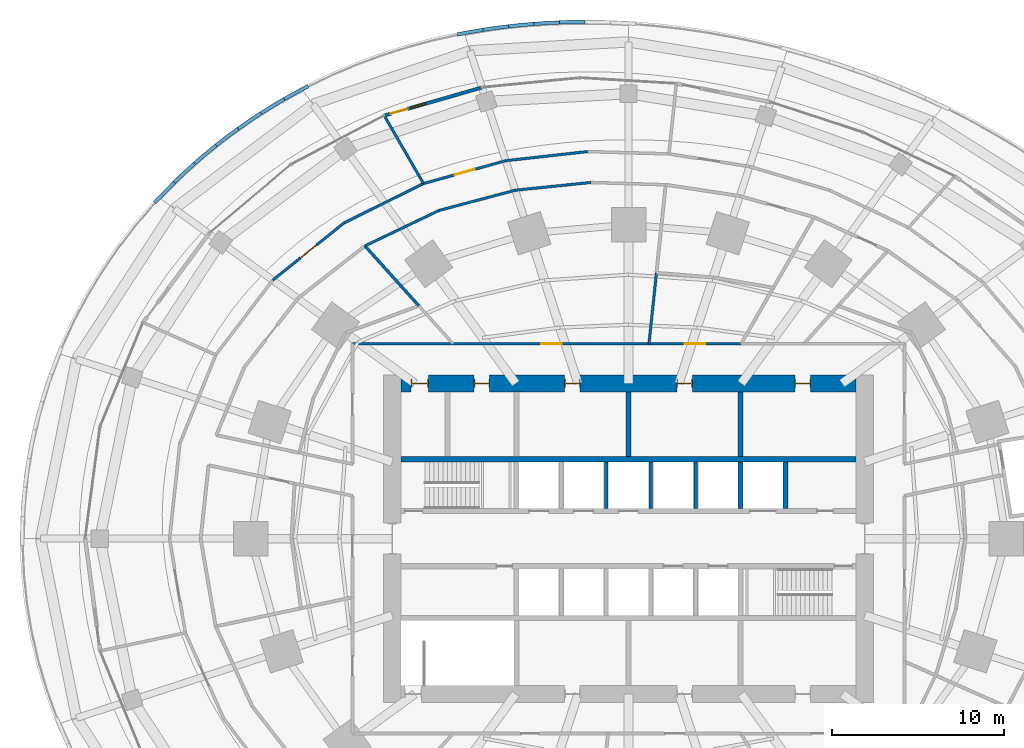
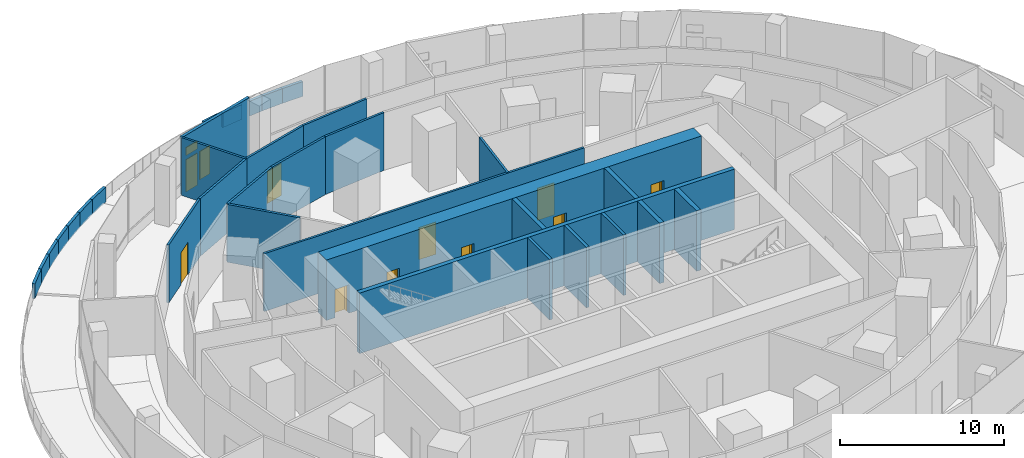
# One storey, part 20 of 26: 33 walls, 10 doors, 2 windows, 12 openings.
"""IFC4 building model written with IfcOpenShell, lengths in metres."""

from ifc_helpers import new_model, si_unit, direction, frame, frame_2d, origin, place, context, subcontext, project, spatial, rectangle, extrude, material, layer, layer_set, type_object, element, fill, save


model = new_model("IFC4")

# Units and contexts
model_context = context("Model", 3, precision=1e-05, world=origin(), true_north=direction((0.0, 1.0)))
body_context = subcontext(model_context, "Body", "Model", "MODEL_VIEW")
ifc_project = project(units=[si_unit("LENGTHUNIT", "METRE"), si_unit("AREAUNIT", "SQUARE_METRE"), si_unit("VOLUMEUNIT", "CUBIC_METRE"), si_unit("PLANEANGLEUNIT", "RADIAN"), si_unit("MASSUNIT", "GRAM", prefix="KILO")], contexts=[model_context])

# Site, building, storey
site_placement = place(None, origin())
site = spatial("IfcSite", under=ifc_project, at=site_placement, CompositionType="ELEMENT")
building_placement = place(site_placement, origin())
building = spatial("IfcBuilding", under=site, at=building_placement, Name="Marramba Exchange Tower", CompositionType="ELEMENT")
storey_placement = place(building_placement, frame((0.0, 0.0, 15.10009765625)))
storey = spatial("IfcBuildingStorey", under=building, at=storey_placement, Name="L03", CompositionType="ELEMENT", Elevation=15.10009765625)

# Walls
ifc_material_1 = material(Name="Plasterboard on staggered double steel studs, acoustic insulation", Category="steel")
ifc_layer_1 = layer(ifc_material_1, 0.169921875)
ifc_layer_set_1 = layer_set([ifc_layer_1], Name="Acoustic partition 170")
wall_type_1 = type_object("IfcWallType", Name="Acoustic partition 170", PredefinedType="PARTITIONING", material=ifc_layer_set_1)
wall_1_placement = place(storey_placement, frame((-12.15576171875, 13.500244140625, 0.0), z_axis=(0.0, 0.0, 1.0), x_axis=(-0.669135077133, 0.74314079995, 0.0)))
element("IfcWall", 1, at=wall_1_placement, inside=storey, type_object=wall_type_1, Name="Acoustic partition L03 99", PredefinedType="PARTITIONING", context=body_context, shape_type="SweptSolid", body=[
    extrude(rectangle(XDim=4.67138671875, YDim=0.169921875, at=frame_2d((2.335693359375, 0.0))), origin(), (0.0, 0.0, 1.0), 4.2998046875),
])
ifc_material_2 = material(Name="Concrete N50", Category="concrete")
ifc_layer_2 = layer(ifc_material_2, 0.199951171875)
ifc_layer_set_2 = layer_set([ifc_layer_2], Name="Core shaft wall 200")
wall_type_2 = type_object("IfcWallType", Name="Core shaft wall 200", PredefinedType="SHEAR", material=ifc_layer_set_2)
for number, where, z_axis, x_axis, name in (
    (2, (-1.300048828125, 1.75, 0.0), (0.0, 0.0, 1.0), (0.0, 1.0, 0.0), "Core wall SHN2 L03"),
    (3, (1.300048828125, 1.75, 0.0), (0.0, 0.0, 1.0), (0.0, 1.0, 0.0), "Core wall SHN3 L03"),
    (4, (3.89990234375, 1.75, 0.0), (0.0, 0.0, 1.0), (0.0, 1.0, 0.0), "Core wall SHN4 L03"),
):
    element("IfcWall", number, at=place(storey_placement, frame(where, z_axis=z_axis, x_axis=x_axis)), inside=storey, type_object=wall_type_2, Name=name, PredefinedType="SHEAR", context=body_context, shape_type="SweptSolid", body=[
        extrude(rectangle(XDim=2.699951171875, YDim=0.199951171875, at=frame_2d((1.35009765625, 0.0))), origin(), (0.0, 0.0, 1.0), 4.5),
    ])

# Wall, openings, doors
ifc_layer_3 = layer(ifc_material_2, 1.0)
ifc_layer_set_3 = layer_set([ifc_layer_3], Name="Core wall 1000")
wall_type_3 = type_object("IfcWallType", Name="Core wall 1000", PredefinedType="SHEAR", material=ifc_layer_set_3)
wall_2_placement = place(storey_placement, frame((13.199951171875, 9.0, 0.0), z_axis=(0.0, 0.0, 1.0), x_axis=(-1.0, 0.0, 0.0)))
wall_2 = element("IfcWall", 5, at=wall_2_placement, inside=storey, type_object=wall_type_3, Name="Core wall N L03", PredefinedType="SHEAR", context=body_context, shape_type="SweptSolid", body=[
    extrude(rectangle(XDim=26.39990234375, YDim=1.0, at=frame_2d((13.199951171875, 0.0))), origin(), (0.0, 0.0, 1.0), 4.5),
])
opening_1_placement = place(wall_2_placement, frame((2.64990234375, 0.0, 0.0)))
opening_1 = element("IfcOpeningElement", 6, at=opening_1_placement, cuts=wall_2, Name="Opening D5", PredefinedType="OPENING", context=body_context, shape_type="SweptSolid", body=[
    extrude(rectangle(XDim=0.89990234375, YDim=2.10009765625, at=frame_2d((0.449951171875, 1.050048828125))), frame((0.0, 0.510009765625, 0.0), z_axis=(0.0, -1.0, 0.0), x_axis=(1.0, 0.0, 0.0)), (0.0, 0.0, 1.0), 1.02001953125),
])
opening_2_placement = place(wall_2_placement, frame((9.5, 0.0, 0.0)))
opening_2 = element("IfcOpeningElement", 7, at=opening_2_placement, cuts=wall_2, Name="Opening D3", PredefinedType="OPENING", context=body_context, shape_type="SweptSolid", body=[
    extrude(rectangle(XDim=0.89990234375, YDim=2.10009765625, at=frame_2d((0.449951171875, 1.050048828125))), frame((0.0, 0.510009765625, 0.0), z_axis=(0.0, -1.0, 0.0), x_axis=(1.0, 0.0, 0.0)), (0.0, 0.0, 1.0), 1.02001953125),
])
opening_3_placement = place(wall_2_placement, frame((16.0, 0.0, 0.0)))
opening_3 = element("IfcOpeningElement", 8, at=opening_3_placement, cuts=wall_2, Name="Opening D3", PredefinedType="OPENING", context=body_context, shape_type="SweptSolid", body=[
    extrude(rectangle(XDim=0.89990234375, YDim=2.10009765625, at=frame_2d((0.449951171875, 1.050048828125))), frame((0.0, 0.510009765625, 0.0), z_axis=(0.0, -1.0, 0.0), x_axis=(1.0, 0.0, 0.0)), (0.0, 0.0, 1.0), 1.02001953125),
])
opening_4_placement = place(wall_2_placement, frame((21.25, 0.0, 0.0)))
opening_4 = element("IfcOpeningElement", 9, at=opening_4_placement, cuts=wall_2, Name="Opening D5", PredefinedType="OPENING", context=body_context, shape_type="SweptSolid", body=[
    extrude(rectangle(XDim=0.89990234375, YDim=2.10009765625, at=frame_2d((0.449951171875, 1.050048828125))), frame((0.0, 0.510009765625, 0.0), z_axis=(0.0, -1.0, 0.0), x_axis=(1.0, 0.0, 0.0)), (0.0, 0.0, 1.0), 1.02001953125),
])
opening_5_placement = place(wall_2_placement, frame((24.800048828125, 0.0, 0.0)))
opening_5 = element("IfcOpeningElement", 10, at=opening_5_placement, cuts=wall_2, Name="Opening D4", PredefinedType="OPENING", context=body_context, shape_type="SweptSolid", body=[
    extrude(rectangle(XDim=1.0, YDim=2.10009765625, at=frame_2d((0.5, 1.050048828125))), frame((0.0, 0.510009765625, 0.0), z_axis=(0.0, -1.0, 0.0), x_axis=(1.0, 0.0, 0.0)), (0.0, 0.0, 1.0), 1.02001953125),
])
ifc_material_3 = material(Name="Steel-framed door", Category="steel")
door_type_1 = type_object("IfcDoorType", Name="Accessible toilet door 1000x2100", OperationType="SINGLE_SWING_LEFT", PredefinedType="DOOR", material=ifc_material_3)
door_1_placement = place(opening_5_placement, origin())
door_1 = element("IfcDoor", 11, at=door_1_placement, inside=storey, type_object=door_type_1, Name="D4 awc L03", OperationType="SINGLE_SWING_RIGHT", OverallHeight=2.10009765625, OverallWidth=1.0, PredefinedType="DOOR", context=body_context, shape_type="SweptSolid", body=[
    extrude(rectangle(XDim=0.919921875, YDim=2.06005859375, at=frame_2d((0.5, 1.030029296875))), frame((0.0, 0.02490234375, 0.0), z_axis=(0.0, -1.0, 0.0), x_axis=(1.0, 0.0, 0.0)), (0.0, 0.0, 1.0), 0.050048828125),
    extrude(rectangle(XDim=0.04, YDim=2.10009765625, at=frame_2d((0.02001953125, 1.050048828125))), frame((0.0, 0.25, 0.0), z_axis=(0.0, -1.0, 0.0), x_axis=(1.0, 0.0, 0.0)), (0.0, 0.0, 1.0), 0.5),
    extrude(rectangle(XDim=0.04, YDim=2.10009765625, at=frame_2d((0.97998046875, 1.050048828125))), frame((0.0, 0.25, 0.0), z_axis=(0.0, -1.0, 0.0), x_axis=(1.0, 0.0, 0.0)), (0.0, 0.0, 1.0), 0.5),
    extrude(rectangle(XDim=0.919921875, YDim=0.04, at=frame_2d((0.5, 2.080078125))), frame((0.0, 0.25, 0.0), z_axis=(0.0, -1.0, 0.0), x_axis=(1.0, 0.0, 0.0)), (0.0, 0.0, 1.0), 0.5),
])
fill(opening_5, door_1)
door_type_2 = type_object("IfcDoorType", Name="Service door 900x2100", OperationType="SINGLE_SWING_LEFT", PredefinedType="DOOR", material=ifc_material_3)
door_2_placement = place(opening_1_placement, origin())
door_2 = element("IfcDoor", 12, at=door_2_placement, inside=storey, type_object=door_type_2, Name="D5 comms L03", OperationType="SINGLE_SWING_LEFT", OverallHeight=2.10009765625, OverallWidth=0.89990234375, PredefinedType="DOOR", context=body_context, shape_type="SweptSolid", body=[
    extrude(rectangle(XDim=0.81982421875, YDim=2.06005859375, at=frame_2d((0.449951171875, 1.030029296875))), frame((0.0, 0.02490234375, 0.0), z_axis=(0.0, -1.0, 0.0), x_axis=(1.0, 0.0, 0.0)), (0.0, 0.0, 1.0), 0.050048828125),
    extrude(rectangle(XDim=0.04, YDim=2.10009765625, at=frame_2d((0.02001953125, 1.050048828125))), frame((0.0, 0.25, 0.0), z_axis=(0.0, -1.0, 0.0), x_axis=(1.0, 0.0, 0.0)), (0.0, 0.0, 1.0), 0.5),
    extrude(rectangle(XDim=0.04, YDim=2.10009765625, at=frame_2d((0.8798828125, 1.050048828125))), frame((0.0, 0.25, 0.0), z_axis=(0.0, -1.0, 0.0), x_axis=(1.0, 0.0, 0.0)), (0.0, 0.0, 1.0), 0.5),
    extrude(rectangle(XDim=0.81982421875, YDim=0.04, at=frame_2d((0.449951171875, 2.080078125))), frame((0.0, 0.25, 0.0), z_axis=(0.0, -1.0, 0.0), x_axis=(1.0, 0.0, 0.0)), (0.0, 0.0, 1.0), 0.5),
])
fill(opening_1, door_2)
door_3_placement = place(opening_4_placement, origin())
door_3 = element("IfcDoor", 13, at=door_3_placement, inside=storey, type_object=door_type_2, Name="D5 cleaner L03", OperationType="SINGLE_SWING_RIGHT", OverallHeight=2.10009765625, OverallWidth=0.89990234375, PredefinedType="DOOR", context=body_context, shape_type="SweptSolid", body=[
    extrude(rectangle(XDim=0.81982421875, YDim=2.06005859375, at=frame_2d((0.449951171875, 1.030029296875))), frame((0.0, 0.02490234375, 0.0), z_axis=(0.0, -1.0, 0.0), x_axis=(1.0, 0.0, 0.0)), (0.0, 0.0, 1.0), 0.050048828125),
    extrude(rectangle(XDim=0.04, YDim=2.10009765625, at=frame_2d((0.02001953125, 1.050048828125))), frame((0.0, 0.25, 0.0), z_axis=(0.0, -1.0, 0.0), x_axis=(1.0, 0.0, 0.0)), (0.0, 0.0, 1.0), 0.5),
    extrude(rectangle(XDim=0.04, YDim=2.10009765625, at=frame_2d((0.8798828125, 1.050048828125))), frame((0.0, 0.25, 0.0), z_axis=(0.0, -1.0, 0.0), x_axis=(1.0, 0.0, 0.0)), (0.0, 0.0, 1.0), 0.5),
    extrude(rectangle(XDim=0.81982421875, YDim=0.04, at=frame_2d((0.449951171875, 2.080078125))), frame((0.0, 0.25, 0.0), z_axis=(0.0, -1.0, 0.0), x_axis=(1.0, 0.0, 0.0)), (0.0, 0.0, 1.0), 0.5),
])
fill(opening_4, door_3)
door_type_3 = type_object("IfcDoorType", Name="Toilet door 900x2100", OperationType="SINGLE_SWING_LEFT", PredefinedType="DOOR", material=ifc_material_3)
door_4_placement = place(opening_2_placement, origin())
door_4 = element("IfcDoor", 14, at=door_4_placement, inside=storey, type_object=door_type_3, Name="D3 wc-f L03", OperationType="SINGLE_SWING_RIGHT", OverallHeight=2.10009765625, OverallWidth=0.89990234375, PredefinedType="DOOR", context=body_context, shape_type="SweptSolid", body=[
    extrude(rectangle(XDim=0.81982421875, YDim=2.06005859375, at=frame_2d((0.449951171875, 1.030029296875))), frame((0.0, 0.02490234375, 0.0), z_axis=(0.0, -1.0, 0.0), x_axis=(1.0, 0.0, 0.0)), (0.0, 0.0, 1.0), 0.050048828125),
    extrude(rectangle(XDim=0.04, YDim=2.10009765625, at=frame_2d((0.02001953125, 1.050048828125))), frame((0.0, 0.25, 0.0), z_axis=(0.0, -1.0, 0.0), x_axis=(1.0, 0.0, 0.0)), (0.0, 0.0, 1.0), 0.5),
    extrude(rectangle(XDim=0.04, YDim=2.10009765625, at=frame_2d((0.8798828125, 1.050048828125))), frame((0.0, 0.25, 0.0), z_axis=(0.0, -1.0, 0.0), x_axis=(1.0, 0.0, 0.0)), (0.0, 0.0, 1.0), 0.5),
    extrude(rectangle(XDim=0.81982421875, YDim=0.04, at=frame_2d((0.449951171875, 2.080078125))), frame((0.0, 0.25, 0.0), z_axis=(0.0, -1.0, 0.0), x_axis=(1.0, 0.0, 0.0)), (0.0, 0.0, 1.0), 0.5),
])
fill(opening_2, door_4)
door_5_placement = place(opening_3_placement, origin())
door_5 = element("IfcDoor", 15, at=door_5_placement, inside=storey, type_object=door_type_3, Name="D3 wc-m L03", OperationType="SINGLE_SWING_RIGHT", OverallHeight=2.10009765625, OverallWidth=0.89990234375, PredefinedType="DOOR", context=body_context, shape_type="SweptSolid", body=[
    extrude(rectangle(XDim=0.81982421875, YDim=2.06005859375, at=frame_2d((0.449951171875, 1.030029296875))), frame((0.0, 0.02490234375, 0.0), z_axis=(0.0, -1.0, 0.0), x_axis=(1.0, 0.0, 0.0)), (0.0, 0.0, 1.0), 0.050048828125),
    extrude(rectangle(XDim=0.04, YDim=2.10009765625, at=frame_2d((0.02001953125, 1.050048828125))), frame((0.0, 0.25, 0.0), z_axis=(0.0, -1.0, 0.0), x_axis=(1.0, 0.0, 0.0)), (0.0, 0.0, 1.0), 0.5),
    extrude(rectangle(XDim=0.04, YDim=2.10009765625, at=frame_2d((0.8798828125, 1.050048828125))), frame((0.0, 0.25, 0.0), z_axis=(0.0, -1.0, 0.0), x_axis=(1.0, 0.0, 0.0)), (0.0, 0.0, 1.0), 0.5),
    extrude(rectangle(XDim=0.81982421875, YDim=0.04, at=frame_2d((0.449951171875, 2.080078125))), frame((0.0, 0.25, 0.0), z_axis=(0.0, -1.0, 0.0), x_axis=(1.0, 0.0, 0.0)), (0.0, 0.0, 1.0), 0.5),
])
fill(opening_3, door_5)

# Walls
ifc_layer_4 = layer(ifc_material_2, 0.300048828125)
ifc_layer_set_4 = layer_set([ifc_layer_4], Name="Core wall 300")
wall_type_4 = type_object("IfcWallType", Name="Core wall 300", PredefinedType="SHEAR", material=ifc_layer_set_4)
wall_3_placement = place(storey_placement, frame((-13.199951171875, 4.60009765625, 0.0), z_axis=(0.0, 0.0, 1.0), x_axis=(1.0, 0.0, 0.0)))
element("IfcWall", 16, at=wall_3_placement, inside=storey, type_object=wall_type_4, Name="Core wall BN L03", PredefinedType="SHEAR", context=body_context, shape_type="SweptSolid", body=[
    extrude(rectangle(XDim=26.39990234375, YDim=0.300048828125, at=frame_2d((13.199951171875, 0.0))), origin(), (0.0, 0.0, 1.0), 4.5),
])
wall_4_placement = place(storey_placement, frame((6.5, 1.75, 0.0), z_axis=(0.0, 0.0, 1.0), x_axis=(0.0, 1.0, 0.0)))
element("IfcWall", 17, at=wall_4_placement, inside=storey, type_object=wall_type_4, Name="Core wall X1Na L03", PredefinedType="SHEAR", context=body_context, shape_type="SweptSolid", body=[
    extrude(rectangle(XDim=2.699951171875, YDim=0.300048828125, at=frame_2d((1.35009765625, 0.0))), origin(), (0.0, 0.0, 1.0), 4.5),
])
for number, where, z_axis, x_axis, name in (
    (18, (6.5, 4.75, 0.0), (0.0, 0.0, 1.0), (0.0, 1.0, 0.0), "Core wall X1Nb L03"),
    (19, (0.0, 4.75, 0.0), (0.0, 0.0, 1.0), (0.0, 1.0, 0.0), "Core wall MN L03"),
):
    element("IfcWall", number, at=place(storey_placement, frame(where, z_axis=z_axis, x_axis=x_axis)), inside=storey, type_object=wall_type_4, Name=name, PredefinedType="SHEAR", context=body_context, shape_type="SweptSolid", body=[
        extrude(rectangle(XDim=3.75, YDim=0.300048828125, at=frame_2d((1.875, 0.0))), origin(), (0.0, 0.0, 1.0), 4.5),
    ])
wall_5_placement = place(storey_placement, frame((9.10009765625, 1.75, 0.0), z_axis=(0.0, 0.0, 1.0), x_axis=(0.0, 1.0, 0.0)))
element("IfcWall", 20, at=wall_5_placement, inside=storey, type_object=wall_type_4, Name="Core wall ED L03", PredefinedType="SHEAR", context=body_context, shape_type="SweptSolid", body=[
    extrude(rectangle(XDim=2.699951171875, YDim=0.300048828125, at=frame_2d((1.35009765625, 0.0))), origin(), (0.0, 0.0, 1.0), 4.5),
])

# Wall, openings, door, windows
ifc_material_4 = material(Name="Aluminium-framed bronze cladding on steel studs", Category="steel")
ifc_layer_5 = layer(ifc_material_4, 0.199951171875)
ifc_layer_set_5 = layer_set([ifc_layer_5], Name="Door screen wall 200")
wall_type_5 = type_object("IfcWallType", Name="Door screen wall 200", PredefinedType="SOLIDWALL", material=ifc_layer_set_5)
wall_6_placement = place(storey_placement, frame((-8.49853515625, 26.156005859375, 0.0), z_axis=(0.0, 0.0, 1.0), x_axis=(-0.961086494425, -0.276247624847, 0.0)))
wall_6 = element("IfcWall", 21, at=wall_6_placement, inside=storey, type_object=wall_type_5, Name="Door screen L03 F10", PredefinedType="SOLIDWALL", context=body_context, shape_type="SweptSolid", body=[
    extrude(rectangle(XDim=5.89208984375, YDim=0.199951171875, at=frame_2d((2.946044921875, 0.0))), origin(), (0.0, 0.0, 1.0), 4.2998046875),
])
opening_6_placement = place(wall_6_placement, frame((4.4921875, 0.0, 0.0)))
opening_6 = element("IfcOpeningElement", 22, at=opening_6_placement, cuts=wall_6, Name="Opening D6", PredefinedType="OPENING", context=body_context, shape_type="SweptSolid", body=[
    extrude(rectangle(XDim=1.0, YDim=2.39990234375, at=frame_2d((0.5, 1.199951171875))), frame((0.0, 0.10986328125, 0.0), z_axis=(0.0, -1.0, 0.0), x_axis=(1.0, 0.0, 0.0)), (0.0, 0.0, 1.0), 0.219970703125),
])
opening_7_placement = place(wall_6_placement, frame((3.39208984375, 0.0, 0.300048828125)))
opening_7 = element("IfcOpeningElement", 23, at=opening_7_placement, cuts=wall_6, Name="Opening W4", PredefinedType="OPENING", context=body_context, shape_type="SweptSolid", body=[
    extrude(rectangle(XDim=0.89990234375, YDim=2.10009765625, at=frame_2d((0.449951171875, 1.050048828125))), frame((0.0, 0.10986328125, 0.0), z_axis=(0.0, -1.0, 0.0), x_axis=(1.0, 0.0, 0.0)), (0.0, 0.0, 1.0), 0.219970703125),
])
opening_8_placement = place(wall_6_placement, frame((4.4921875, 0.0, 2.699951171875)))
opening_8 = element("IfcOpeningElement", 24, at=opening_8_placement, cuts=wall_6, Name="Opening W5", PredefinedType="OPENING", context=body_context, shape_type="SweptSolid", body=[
    extrude(rectangle(XDim=1.0, YDim=0.60009765625, at=frame_2d((0.5, 0.300048828125))), frame((0.0, 0.10986328125, 0.0), z_axis=(0.0, -1.0, 0.0), x_axis=(1.0, 0.0, 0.0)), (0.0, 0.0, 1.0), 0.219970703125),
])
ifc_material_5 = material(Name="Aluminium-framed glazed door, bronze", Category="aluminium")
door_type_4 = type_object("IfcDoorType", Name="Terrace door 1000x2400", OperationType="SINGLE_SWING_LEFT", PredefinedType="DOOR", material=ifc_material_5)
door_6_placement = place(opening_6_placement, frame((1.0, 0.0, 0.0), z_axis=(0.0, 0.0, 1.0), x_axis=(-1.0, 0.0, 0.0)))
door_6 = element("IfcDoor", 25, at=door_6_placement, inside=storey, type_object=door_type_4, Name="D6 L03", OperationType="SINGLE_SWING_RIGHT", OverallHeight=2.39990234375, OverallWidth=1.0, PredefinedType="DOOR", context=body_context, shape_type="SweptSolid", body=[
    extrude(rectangle(XDim=1.0, YDim=2.39990234375, at=frame_2d((0.5, 1.199951171875))), frame((0.0, 0.025146484375, 0.0), z_axis=(0.0, -1.0, 0.0), x_axis=(1.0, 0.0, 0.0)), (0.0, 0.0, 1.0), 0.050048828125),
])
fill(opening_6, door_6)
ifc_material_6 = material(Name="Aluminium-framed fixed light, bronze, double glazed", Category="aluminium")
window_type_1 = type_object("IfcWindowType", Name="Terrace sidelight 900x2100", PartitioningType="SINGLE_PANEL", PredefinedType="WINDOW", material=ifc_material_6)
window_1_placement = place(opening_7_placement, origin())
window_1 = element("IfcWindow", 26, at=window_1_placement, inside=storey, type_object=window_type_1, Name="W4 L03 F10 left", OverallHeight=2.10009765625, OverallWidth=0.89990234375, PartitioningType="SINGLE_PANEL", PredefinedType="WINDOW", context=body_context, shape_type="SweptSolid", body=[
    extrude(rectangle(XDim=0.89990234375, YDim=2.10009765625, at=frame_2d((0.449951171875, 1.050048828125))), frame((0.0, 0.030029296875, 0.0), z_axis=(0.0, -1.0, 0.0), x_axis=(1.0, 0.0, 0.0)), (0.0, 0.0, 1.0), 0.06005859375),
])
fill(opening_7, window_1)
window_type_2 = type_object("IfcWindowType", Name="Terrace transom light 1000x600", PartitioningType="SINGLE_PANEL", PredefinedType="WINDOW", material=ifc_material_6)
window_2_placement = place(opening_8_placement, origin())
window_2 = element("IfcWindow", 27, at=window_2_placement, inside=storey, type_object=window_type_2, Name="W5 L03 F10 over the door", OverallHeight=0.60009765625, OverallWidth=1.0, PartitioningType="SINGLE_PANEL", PredefinedType="WINDOW", context=body_context, shape_type="SweptSolid", body=[
    extrude(rectangle(XDim=1.0, YDim=0.60009765625, at=frame_2d((0.5, 0.300048828125))), frame((0.0, 0.030029296875, 0.0), z_axis=(0.0, -1.0, 0.0), x_axis=(1.0, 0.0, 0.0)), (0.0, 0.0, 1.0), 0.06005859375),
])
fill(opening_8, window_2)

# Walls
ifc_material_7 = material(Name="Concrete N40", Category="concrete")
ifc_layer_6 = layer(ifc_material_7, 0.199951171875)
ifc_layer_set_6 = layer_set([ifc_layer_6], Name="Roof parapet 200")
wall_type_6 = type_object("IfcWallType", Name="Roof parapet 200", PredefinedType="PARAPET", material=ifc_layer_set_6)
wall_7_placement = place(storey_placement, frame((-2.52001953125, 29.9560546875, 0.0), z_axis=(0.0, 0.0, 1.0), x_axis=(-0.999824109505, -0.018755000726, 0.0)))
element("IfcWall", 28, at=wall_7_placement, inside=storey, type_object=wall_type_6, Name="Parapet L03 bay 06", PredefinedType="PARAPET", context=body_context, shape_type="SweptSolid", body=[
    extrude(rectangle(XDim=1.470947265625, YDim=0.199951171875, at=frame_2d((0.7353515625, 0.0))), origin(), (0.0, 0.0, 1.0), 1.099853515625),
])
wall_8_placement = place(storey_placement, frame((-3.99072265625, 29.928466796875, 0.0), z_axis=(0.0, 0.0, 1.0), x_axis=(-0.99841534492, -0.056274319441, 0.0)))
element("IfcWall", 29, at=wall_8_placement, inside=storey, type_object=wall_type_6, Name="Parapet L03 bay 06", PredefinedType="PARAPET", context=body_context, shape_type="SweptSolid", body=[
    extrude(rectangle(XDim=1.4794921875, YDim=0.199951171875, at=frame_2d((0.73974609375, 0.0))), origin(), (0.0, 0.0, 1.0), 1.099853515625),
])
wall_9_placement = place(storey_placement, frame((-5.4677734375, 29.84521484375, 0.0), z_axis=(0.0, 0.0, 1.0), x_axis=(-0.995448911002, -0.095296723891, 0.0)))
element("IfcWall", 30, at=wall_9_placement, inside=storey, type_object=wall_type_6, Name="Parapet L03 bay 06", PredefinedType="PARAPET", context=body_context, shape_type="SweptSolid", body=[
    extrude(rectangle(XDim=1.488525390625, YDim=0.199951171875, at=frame_2d((0.744140625, 0.0))), origin(), (0.0, 0.0, 1.0), 1.099853515625),
])
wall_10_placement = place(storey_placement, frame((-6.949462890625, 29.703369140625, 0.0), z_axis=(0.0, 0.0, 1.0), x_axis=(-0.990810324239, -0.135258646237, 0.0)))
element("IfcWall", 31, at=wall_10_placement, inside=storey, type_object=wall_type_6, Name="Parapet L03 bay 06", PredefinedType="PARAPET", context=body_context, shape_type="SweptSolid", body=[
    extrude(rectangle(XDim=1.498046875, YDim=0.199951171875, at=frame_2d((0.7490234375, 0.0))), origin(), (0.0, 0.0, 1.0), 1.099853515625),
])
wall_11_placement = place(storey_placement, frame((-8.433837890625, 29.500732421875, 0.0), z_axis=(0.0, 0.0, 1.0), x_axis=(-0.984312317172, -0.176434866916, 0.0)))
element("IfcWall", 32, at=wall_11_placement, inside=storey, type_object=wall_type_6, Name="Parapet L03 bay 06", PredefinedType="PARAPET", context=body_context, shape_type="SweptSolid", body=[
    extrude(rectangle(XDim=1.50830078125, YDim=0.199951171875, at=frame_2d((0.754150390625, 0.0))), origin(), (0.0, 0.0, 1.0), 1.099853515625),
])
wall_12_placement = place(storey_placement, frame((-18.572021484375, 26.239013671875, 0.0), z_axis=(0.0, 0.0, 1.0), x_axis=(-0.879254107283, -0.476353035916, 0.0)))
element("IfcWall", 33, at=wall_12_placement, inside=storey, type_object=wall_type_6, Name="Parapet L03 bay 08", PredefinedType="PARAPET", context=body_context, shape_type="SweptSolid", body=[
    extrude(rectangle(XDim=1.575439453125, YDim=0.199951171875, at=frame_2d((0.78759765625, 0.0))), origin(), (0.0, 0.0, 1.0), 1.099853515625),
])
wall_13_placement = place(storey_placement, frame((-19.957275390625, 25.488525390625, 0.0), z_axis=(0.0, 0.0, 1.0), x_axis=(-0.854614346543, -0.519263246036, 0.0)))
element("IfcWall", 34, at=wall_13_placement, inside=storey, type_object=wall_type_6, Name="Parapet L03 bay 08", PredefinedType="PARAPET", context=body_context, shape_type="SweptSolid", body=[
    extrude(rectangle(XDim=1.58642578125, YDim=0.199951171875, at=frame_2d((0.793212890625, 0.0))), origin(), (0.0, 0.0, 1.0), 1.099853515625),
])
wall_14_placement = place(storey_placement, frame((-21.31298828125, 24.664794921875, 0.0), z_axis=(0.0, 0.0, 1.0), x_axis=(-0.827554410772, -0.561385515676, 0.0)))
element("IfcWall", 35, at=wall_14_placement, inside=storey, type_object=wall_type_6, Name="Parapet L03 bay 08", PredefinedType="PARAPET", context=body_context, shape_type="SweptSolid", body=[
    extrude(rectangle(XDim=1.596923828125, YDim=0.199951171875, at=frame_2d((0.79833984375, 0.0))), origin(), (0.0, 0.0, 1.0), 1.099853515625),
])
wall_15_placement = place(storey_placement, frame((-22.634521484375, 23.768310546875, 0.0), z_axis=(0.0, 0.0, 1.0), x_axis=(-0.79788031401, -0.602815896038, 0.0)))
element("IfcWall", 36, at=wall_15_placement, inside=storey, type_object=wall_type_6, Name="Parapet L03 bay 08", PredefinedType="PARAPET", context=body_context, shape_type="SweptSolid", body=[
    extrude(rectangle(XDim=1.60693359375, YDim=0.199951171875, at=frame_2d((0.803466796875, 0.0))), origin(), (0.0, 0.0, 1.0), 1.099853515625),
])
wall_16_placement = place(storey_placement, frame((-23.916748046875, 22.799560546875, 0.0), z_axis=(0.0, 0.0, 1.0), x_axis=(-0.765603731978, -0.643312463412, 0.0)))
element("IfcWall", 37, at=wall_16_placement, inside=storey, type_object=wall_type_6, Name="Parapet L03 bay 08", PredefinedType="PARAPET", context=body_context, shape_type="SweptSolid", body=[
    extrude(rectangle(XDim=1.6171875, YDim=0.199951171875, at=frame_2d((0.80859375, 0.0))), origin(), (0.0, 0.0, 1.0), 1.099853515625),
])
wall_17_placement = place(storey_placement, frame((-25.15478515625, 21.75927734375, 0.0), z_axis=(0.0, 0.0, 1.0), x_axis=(-0.730930479444, -0.682451928138, 0.0)))
element("IfcWall", 38, at=wall_17_placement, inside=storey, type_object=wall_type_6, Name="Parapet L03 bay 08", PredefinedType="PARAPET", context=body_context, shape_type="SweptSolid", body=[
    extrude(rectangle(XDim=1.626708984375, YDim=0.199951171875, at=frame_2d((0.8134765625, 0.0))), origin(), (0.0, 0.0, 1.0), 1.099853515625),
])
wall_18_placement = place(storey_placement, frame((-26.34375, 20.649169921875, 0.0), z_axis=(0.0, 0.0, 1.0), x_axis=(-0.693699046619, -0.720264973964, 0.0)))
element("IfcWall", 39, at=wall_18_placement, inside=storey, type_object=wall_type_6, Name="Parapet L03 bay 08", PredefinedType="PARAPET", context=body_context, shape_type="SweptSolid", body=[
    extrude(rectangle(XDim=1.6357421875, YDim=0.199951171875, at=frame_2d((0.81787109375, 0.0))), origin(), (0.0, 0.0, 1.0), 1.099853515625),
])
ifc_material_8 = material(Name="Fire-rated plasterboard on steel studs, acoustic insulation", Category="steel")
ifc_layer_7 = layer(ifc_material_8, 0.14990234375)
ifc_layer_set_7 = layer_set([ifc_layer_7], Name="Tenancy wall 150")
wall_type_7 = type_object("IfcWallType", Name="Tenancy wall 150", PredefinedType="PARTITIONING", material=ifc_layer_set_7)
wall_19_placement = place(storey_placement, frame((1.187744140625, 11.300048828125, 0.0), z_axis=(0.0, 0.0, 1.0), x_axis=(0.104543353399, 0.99452033024, 0.0)))
element("IfcWall", 40, at=wall_19_placement, inside=storey, type_object=wall_type_7, Name="Tenancy wall L03 86", PredefinedType="PARTITIONING", context=body_context, shape_type="SweptSolid", body=[
    extrude(rectangle(XDim=4.133544921875, YDim=0.14990234375, at=frame_2d((2.06689453125, 0.0))), origin(), (0.0, 0.0, 1.0), 4.2998046875),
])
wall_20_placement = place(storey_placement, frame((-2.358642578125, 22.4404296875, 0.0), z_axis=(0.0, 0.0, 1.0), x_axis=(-0.993922826366, -0.110079131669, 0.0)))
element("IfcWall", 41, at=wall_20_placement, inside=storey, type_object=wall_type_7, Name="Tenancy wall L03 91", PredefinedType="PARTITIONING", context=body_context, shape_type="SweptSolid", body=[
    extrude(rectangle(XDim=4.79052734375, YDim=0.14990234375, at=frame_2d((2.395263671875, 0.0))), origin(), (0.0, 0.0, 1.0), 4.2998046875),
])
wall_21_placement = place(storey_placement, frame((-6.563720703125, 20.201171875, 0.0), z_axis=(0.0, 0.0, 1.0), x_axis=(0.994813042544, 0.101720255531, 0.0)))
element("IfcWall", 42, at=wall_21_placement, inside=storey, type_object=wall_type_7, Name="Tenancy wall L03 92", PredefinedType="PARTITIONING", context=body_context, shape_type="SweptSolid", body=[
    extrude(rectangle(XDim=4.416259765625, YDim=0.14990234375, at=frame_2d((2.2080078125, 0.0))), origin(), (0.0, 0.0, 1.0), 4.2998046875),
])

# Wall, openings, doors
wall_22_placement = place(storey_placement, frame((6.524169921875, 11.300048828125, 0.0), z_axis=(0.0, 0.0, 1.0), x_axis=(-1.0, 0.0, 0.0)))
wall_22 = element("IfcWall", 43, at=wall_22_placement, inside=storey, type_object=wall_type_7, Name="Tenancy wall L03 93", PredefinedType="PARTITIONING", context=body_context, shape_type="SweptSolid", body=[
    extrude(rectangle(XDim=22.524169921875, YDim=0.14990234375, at=frame_2d((11.26220703125, 0.0))), origin(), (0.0, 0.0, 1.0), 4.2998046875),
])
opening_9_placement = place(wall_22_placement, frame((10.39306640625, 0.0, 0.0)))
opening_9 = element("IfcOpeningElement", 44, at=opening_9_placement, cuts=wall_22, Name="Opening D13", PredefinedType="OPENING", context=body_context, shape_type="SweptSolid", body=[
    extrude(rectangle(XDim=1.199951171875, YDim=2.39990234375, at=frame_2d((0.60009765625, 1.199951171875))), frame((0.0, 0.0849609375, 0.0), z_axis=(0.0, -1.0, 0.0), x_axis=(1.0, 0.0, 0.0)), (0.0, 0.0, 1.0), 0.169921875),
])
opening_10_placement = place(wall_22_placement, frame((2.068115234375, 0.0, 0.0)))
opening_10 = element("IfcOpeningElement", 45, at=opening_10_placement, cuts=wall_22, Name="Opening D13", PredefinedType="OPENING", context=body_context, shape_type="SweptSolid", body=[
    extrude(rectangle(XDim=1.199951171875, YDim=2.39990234375, at=frame_2d((0.60009765625, 1.199951171875))), frame((0.0, 0.0849609375, 0.0), z_axis=(0.0, -1.0, 0.0), x_axis=(1.0, 0.0, 0.0)), (0.0, 0.0, 1.0), 0.169921875),
])
door_type_5 = type_object("IfcDoorType", Name="Tenancy entry door 1200x2400", OperationType="SINGLE_SWING_LEFT", PredefinedType="DOOR", material=ifc_material_3)
door_7_placement = place(opening_9_placement, origin())
door_7 = element("IfcDoor", 46, at=door_7_placement, inside=storey, type_object=door_type_5, Name="D13 Project Office L03", OperationType="SINGLE_SWING_RIGHT", OverallHeight=2.39990234375, OverallWidth=1.199951171875, PredefinedType="DOOR", context=body_context, shape_type="SweptSolid", body=[
    extrude(rectangle(XDim=1.199951171875, YDim=2.39990234375, at=frame_2d((0.60009765625, 1.199951171875))), frame((0.0, 0.02490234375, 0.0), z_axis=(0.0, -1.0, 0.0), x_axis=(1.0, 0.0, 0.0)), (0.0, 0.0, 1.0), 0.050048828125),
])
fill(opening_9, door_7)
door_8_placement = place(opening_10_placement, frame((1.199951171875, 0.0, 0.0), z_axis=(0.0, 0.0, 1.0), x_axis=(-1.0, 0.0, 0.0)))
door_8 = element("IfcDoor", 47, at=door_8_placement, inside=storey, type_object=door_type_5, Name="D13 Store L03", OperationType="SINGLE_SWING_LEFT", OverallHeight=2.39990234375, OverallWidth=1.199951171875, PredefinedType="DOOR", context=body_context, shape_type="SweptSolid", body=[
    extrude(rectangle(XDim=1.199951171875, YDim=2.39990234375, at=frame_2d((0.599853515625, 1.199951171875))), frame((0.0, 0.025146484375, 0.0), z_axis=(0.0, -1.0, 0.0), x_axis=(1.0, 0.0, 0.0)), (0.0, 0.0, 1.0), 0.050048828125),
])
fill(opening_10, door_8)

# Wall, opening, door
wall_23_placement = place(storey_placement, frame((-7.1201171875, 21.9130859375, 0.0), z_axis=(0.0, 0.0, 1.0), x_axis=(-0.963396906427, -0.268079094089, 0.0)))
wall_23 = element("IfcWall", 48, at=wall_23_placement, inside=storey, type_object=wall_type_7, Name="Tenancy wall L03 94", PredefinedType="PARTITIONING", context=body_context, shape_type="SweptSolid", body=[
    extrude(rectangle(XDim=4.947021484375, YDim=0.14990234375, at=frame_2d((2.4736328125, 0.0))), origin(), (0.0, 0.0, 1.0), 4.2998046875),
])
opening_11_placement = place(wall_23_placement, frame((1.873046875, 0.0, 0.0)))
opening_11 = element("IfcOpeningElement", 49, at=opening_11_placement, cuts=wall_23, Name="Opening D13", PredefinedType="OPENING", context=body_context, shape_type="SweptSolid", body=[
    extrude(rectangle(XDim=1.199951171875, YDim=2.39990234375, at=frame_2d((0.60009765625, 1.199951171875))), frame((0.0, 0.0849609375, 0.0), z_axis=(0.0, -1.0, 0.0), x_axis=(1.0, 0.0, 0.0)), (0.0, 0.0, 1.0), 0.169921875),
])
door_9_placement = place(opening_11_placement, origin())
door_9 = element("IfcDoor", 50, at=door_9_placement, inside=storey, type_object=door_type_5, Name="D13 Regulatory Liaison Office L03", OperationType="SINGLE_SWING_RIGHT", OverallHeight=2.39990234375, OverallWidth=1.199951171875, PredefinedType="DOOR", context=body_context, shape_type="SweptSolid", body=[
    extrude(rectangle(XDim=1.199951171875, YDim=2.39990234375, at=frame_2d((0.60009765625, 1.199951171875))), frame((0.0, 0.02490234375, 0.0), z_axis=(0.0, -1.0, 0.0), x_axis=(1.0, 0.0, 0.0)), (0.0, 0.0, 1.0), 0.050048828125),
])
fill(opening_11, door_9)

# Walls
wall_24_placement = place(storey_placement, frame((-10.98583984375, 19.0283203125, 0.0), z_axis=(0.0, 0.0, 1.0), x_axis=(0.966581260218, 0.256360424783, 0.0)))
element("IfcWall", 51, at=wall_24_placement, inside=storey, type_object=wall_type_7, Name="Tenancy wall L03 95", PredefinedType="PARTITIONING", context=body_context, shape_type="SweptSolid", body=[
    extrude(rectangle(XDim=4.574951171875, YDim=0.14990234375, at=frame_2d((2.28759765625, 0.0))), origin(), (0.0, 0.0, 1.0), 4.2998046875),
])
wall_25_placement = place(storey_placement, frame((-11.885986328125, 20.5869140625, 0.0), z_axis=(0.0, 0.0, 1.0), x_axis=(-0.499968249168, 0.86604373436, 0.0)))
element("IfcWall", 52, at=wall_25_placement, inside=storey, type_object=wall_type_7, Name="Tenancy wall L03 96", PredefinedType="PARTITIONING", context=body_context, shape_type="SweptSolid", body=[
    extrude(rectangle(XDim=4.470947265625, YDim=0.14990234375, at=frame_2d((2.2353515625, 0.0))), origin(), (0.0, 0.0, 1.0), 4.2998046875),
])
wall_26_placement = place(storey_placement, frame((-11.885986328125, 20.5869140625, 0.0), z_axis=(0.0, 0.0, 1.0), x_axis=(-0.896161272218, -0.443728491509, 0.0)))
element("IfcWall", 53, at=wall_26_placement, inside=storey, type_object=wall_type_7, Name="Tenancy wall L03 97", PredefinedType="PARTITIONING", context=body_context, shape_type="SweptSolid", body=[
    extrude(rectangle(XDim=5.1328125, YDim=0.14990234375, at=frame_2d((2.56640625, 0.0))), origin(), (0.0, 0.0, 1.0), 4.2998046875),
])
wall_27_placement = place(storey_placement, frame((-15.281494140625, 16.9716796875, 0.0), z_axis=(0.0, 0.0, 1.0), x_axis=(0.901954568833, 0.431830934234, 0.0)))
element("IfcWall", 54, at=wall_27_placement, inside=storey, type_object=wall_type_7, Name="Tenancy wall L03 98", PredefinedType="PARTITIONING", context=body_context, shape_type="SweptSolid", body=[
    extrude(rectangle(XDim=4.7626953125, YDim=0.14990234375, at=frame_2d((2.38134765625, 0.0))), origin(), (0.0, 0.0, 1.0), 4.2998046875),
])

# Wall, opening, door
wall_28_placement = place(storey_placement, frame((-16.48583984375, 18.309326171875, 0.0), z_axis=(0.0, 0.0, 1.0), x_axis=(-0.779898885774, -0.625905526393, 0.0)))
wall_28 = element("IfcWall", 55, at=wall_28_placement, inside=storey, type_object=wall_type_7, Name="Tenancy wall L03 101", PredefinedType="PARTITIONING", context=body_context, shape_type="SweptSolid", body=[
    extrude(rectangle(XDim=5.3095703125, YDim=0.14990234375, at=frame_2d((2.65478515625, 0.0))), origin(), (0.0, 0.0, 1.0), 4.2998046875),
])
opening_12_placement = place(wall_28_placement, frame((2.054931640625, 0.0, 0.0)))
opening_12 = element("IfcOpeningElement", 56, at=opening_12_placement, cuts=wall_28, Name="Opening D13", PredefinedType="OPENING", context=body_context, shape_type="SweptSolid", body=[
    extrude(rectangle(XDim=1.199951171875, YDim=2.39990234375, at=frame_2d((0.60009765625, 1.199951171875))), frame((0.0, 0.0849609375, 0.0), z_axis=(0.0, -1.0, 0.0), x_axis=(1.0, 0.0, 0.0)), (0.0, 0.0, 1.0), 0.169921875),
])
door_10_placement = place(opening_12_placement, origin())
door_10 = element("IfcDoor", 57, at=door_10_placement, inside=storey, type_object=door_type_5, Name="D13 Training Room L03", OperationType="SINGLE_SWING_RIGHT", OverallHeight=2.39990234375, OverallWidth=1.199951171875, PredefinedType="DOOR", context=body_context, shape_type="SweptSolid", body=[
    extrude(rectangle(XDim=1.199951171875, YDim=2.39990234375, at=frame_2d((0.60009765625, 1.199951171875))), frame((0.0, 0.02490234375, 0.0), z_axis=(0.0, -1.0, 0.0), x_axis=(1.0, 0.0, 0.0)), (0.0, 0.0, 1.0), 0.050048828125),
])
fill(opening_12, door_10)

save(model, "model.ifc")
